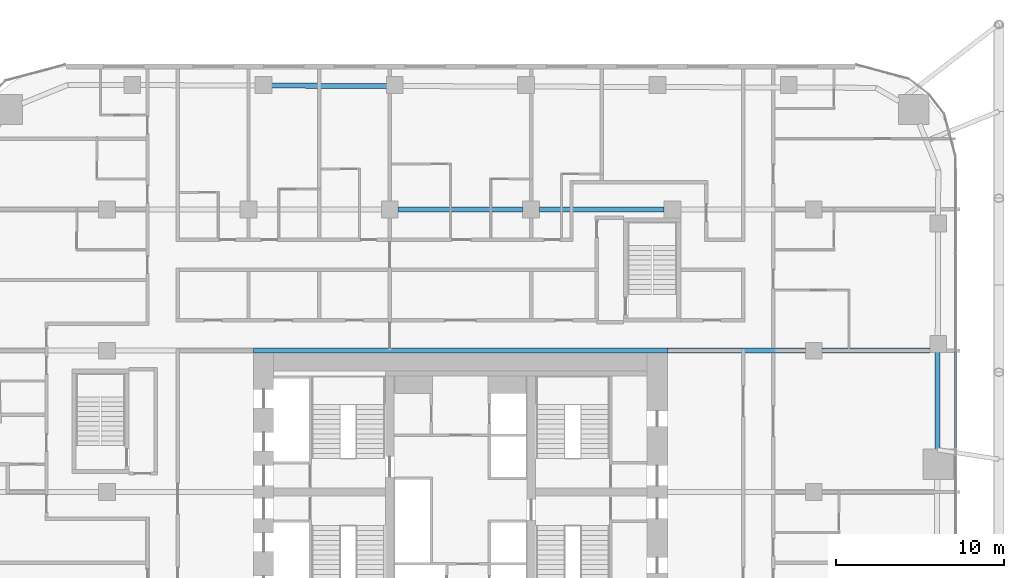
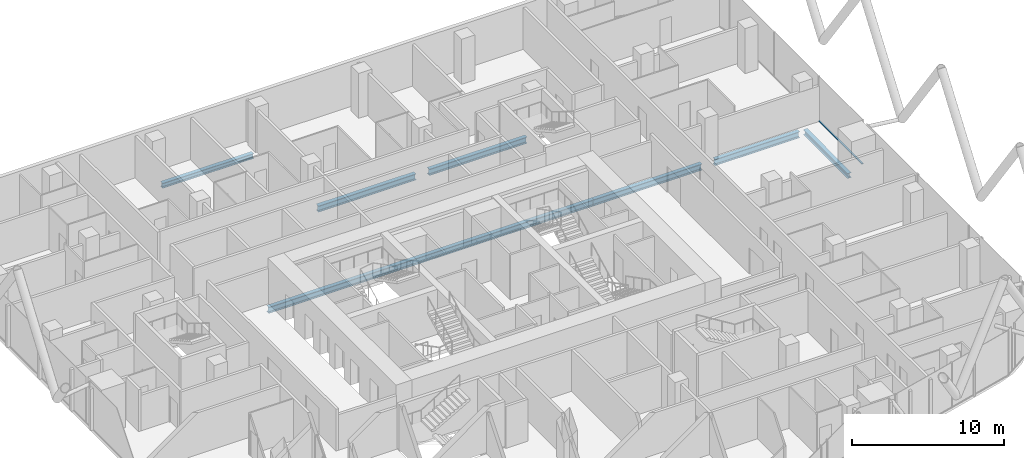
# One storey, part 11 of 38: 7 beams, 1 member, 1 element without a shape of its own.
"""IFC4 building model written with IfcOpenShell, lengths in metres."""

from ifc_helpers import new_model, si_unit, direction, frame, origin, origin_2d, place, context, subcontext, project, spatial, rectangle, i_section, extrude, material, layer, layer_set, material_profile, profile_set, type_object, element, aggregate, save


model = new_model("IFC4")

# Units and contexts
model_context = context("Model", 3, precision=1e-05, world=origin(), true_north=direction((0.0, 1.0)))
body_context = subcontext(model_context, "Body", "Model", "MODEL_VIEW")
ifc_project = project(units=[si_unit("LENGTHUNIT", "METRE"), si_unit("AREAUNIT", "SQUARE_METRE"), si_unit("VOLUMEUNIT", "CUBIC_METRE"), si_unit("PLANEANGLEUNIT", "RADIAN"), si_unit("MASSUNIT", "GRAM", prefix="KILO")], contexts=[model_context])

# Site, building, storey
site_placement = place(None, origin())
site = spatial("IfcSite", under=ifc_project, at=site_placement, CompositionType="ELEMENT")
building_placement = place(site_placement, origin())
building = spatial("IfcBuilding", under=site, at=building_placement, Name="Marenta Gate Hotel Tower", CompositionType="ELEMENT")
storey_placement = place(building_placement, frame((0.0, 0.0, 54.5)))
storey = spatial("IfcBuildingStorey", under=building, at=storey_placement, Name="L11", CompositionType="ELEMENT", Elevation=54.5)

# Beams
ifc_material_1 = material(Name="Steel S355", Category="steel")
ifc_material_profile_1 = material_profile(ifc_material_1, i_section(OverallWidth=0.300048828125, OverallDepth=0.39990234375, WebThickness=0.013427734375, FlangeThickness=0.02392578125, FilletRadius=0.027099609375, at=origin_2d()), Name="HEB 400")
ifc_profile_set_1 = profile_set([ifc_material_profile_1], Name="Steel S355")
beam_type_1 = type_object("IfcBeamType", Name="Edge beam HEB 400", PredefinedType="SPANDREL", material=ifc_profile_set_1)
beam_1_placement = place(storey_placement, frame((-11.244140625, 32.554931640625, -0.4599609375), z_axis=(0.999993064268, -0.003724435008, 0.0), x_axis=(0.003724435008, 0.999993064268, 0.0)))
element("IfcBeam", 1, at=beam_1_placement, inside=storey, type_object=beam_type_1, Name="L11-EB-15", PredefinedType="SPANDREL", context=body_context, shape_type="SweptSolid", body=[
    extrude(i_section(OverallWidth=0.300048828125, OverallDepth=0.39990234375, WebThickness=0.013427734375, FlangeThickness=0.02392578125, FilletRadius=0.027099609375, at=origin_2d()), origin(), (0.0, 0.0, 1.0), 6.8828125),
])
beam_2_placement = place(storey_placement, frame((28.364013671875, 16.7431640625, -0.4599609375), z_axis=(-0.003306389661, -0.999994533879, 0.0), x_axis=(0.999994533879, -0.003306389661, 0.0)))
element("IfcBeam", 2, at=beam_2_placement, inside=storey, type_object=beam_type_1, Name="L11-EB-24", PredefinedType="SPANDREL", context=body_context, shape_type="SweptSolid", body=[
    extrude(i_section(OverallWidth=0.300048828125, OverallDepth=0.39990234375, WebThickness=0.013427734375, FlangeThickness=0.02392578125, FilletRadius=0.027099609375, at=origin_2d()), origin(), (0.0, 0.0, 1.0), 5.833251953125),
])
ifc_material_2 = material(Name="Steel S355", Category="steel")
ifc_material_profile_2 = material_profile(ifc_material_2, i_section(OverallWidth=0.300048828125, OverallDepth=0.5, WebThickness=0.014404296875, FlangeThickness=0.028076171875, FilletRadius=0.027099609375, at=origin_2d()), Name="HEB 500")
ifc_profile_set_2 = profile_set([ifc_material_profile_2], Name="Steel S355")
beam_type_2 = type_object("IfcBeamType", Name="Girder HEB 500", PredefinedType="BEAM", material=ifc_profile_set_2)
beam_3_placement = place(storey_placement, frame((-12.300048828125, 16.800048828125, -0.510009765625), z_axis=(1.0, 0.0, 0.0), x_axis=(0.0, 1.0, 0.0)))
element("IfcBeam", 3, at=beam_3_placement, inside=storey, type_object=beam_type_2, Name="L11-GD-19", PredefinedType="BEAM", context=body_context, shape_type="SweptSolid", body=[
    extrude(i_section(OverallWidth=0.300048828125, OverallDepth=0.5, WebThickness=0.014404296875, FlangeThickness=0.028076171875, FilletRadius=0.027099609375, at=origin_2d()), origin(), (0.0, 0.0, 1.0), 24.60009765625),
])
beam_4_placement = place(storey_placement, frame((12.300048828125, 16.800048828125, -0.510009765625), z_axis=(1.0, 0.0, 0.0), x_axis=(0.0, 1.0, 0.0)))
element("IfcBeam", 4, at=beam_4_placement, inside=storey, type_object=beam_type_2, Name="L11-GD-20", PredefinedType="BEAM", context=body_context, shape_type="SweptSolid", body=[
    extrude(i_section(OverallWidth=0.300048828125, OverallDepth=0.5, WebThickness=0.014404296875, FlangeThickness=0.028076171875, FilletRadius=0.027099609375, at=origin_2d()), origin(), (0.0, 0.0, 1.0), 8.199951171875),
])
beam_5_placement = place(storey_placement, frame((21.5, 16.800048828125, -0.510009765625), z_axis=(1.0, 0.0, 0.0), x_axis=(0.0, 1.0, 0.0)))
element("IfcBeam", 5, at=beam_5_placement, inside=storey, type_object=beam_type_2, Name="L11-GD-21", PredefinedType="BEAM", context=body_context, shape_type="SweptSolid", body=[
    extrude(i_section(OverallWidth=0.300048828125, OverallDepth=0.5, WebThickness=0.014404296875, FlangeThickness=0.028076171875, FilletRadius=0.027099609375, at=origin_2d()), origin(), (0.0, 0.0, 1.0), 6.39990234375),
])
beam_6_placement = place(storey_placement, frame((-3.699951171875, 25.199951171875, -0.510009765625), z_axis=(1.0, 0.0, 0.0), x_axis=(0.0, 1.0, 0.0)))
element("IfcBeam", 6, at=beam_6_placement, inside=storey, type_object=beam_type_2, Name="L11-GD-25", PredefinedType="BEAM", context=body_context, shape_type="SweptSolid", body=[
    extrude(i_section(OverallWidth=0.300048828125, OverallDepth=0.5, WebThickness=0.014404296875, FlangeThickness=0.028076171875, FilletRadius=0.027099609375, at=origin_2d()), origin(), (0.0, 0.0, 1.0), 7.39990234375),
])
beam_7_placement = place(storey_placement, frame((4.699951171875, 25.199951171875, -0.510009765625), z_axis=(1.0, 0.0, 0.0), x_axis=(0.0, 1.0, 0.0)))
element("IfcBeam", 7, at=beam_7_placement, inside=storey, type_object=beam_type_2, Name="L11-GD-26", PredefinedType="BEAM", context=body_context, shape_type="SweptSolid", body=[
    extrude(i_section(OverallWidth=0.300048828125, OverallDepth=0.5, WebThickness=0.014404296875, FlangeThickness=0.028076171875, FilletRadius=0.027099609375, at=origin_2d()), origin(), (0.0, 0.0, 1.0), 7.400146484375),
])

# Curtain wall, member
ifc_material_3 = material(Name="Tinted insulated glass in bronze anodised frame", Category="glass")
ifc_layer = layer(ifc_material_3, 0.1201171875)
ifc_layer_set = layer_set([ifc_layer], Name="Tinted insulated glass in bronze anodised frame")
curtain_wall_type = type_object("IfcCurtainWallType", Name="Tower unitised curtain wall CW1", PredefinedType="NOTDEFINED", material=ifc_layer_set)
curtain_wall_placement = place(storey_placement, origin())
curtain_wall = element("IfcCurtainWall", 8, at=curtain_wall_placement, inside=storey, type_object=curtain_wall_type, Name="CW1 run G34", PredefinedType="NOTDEFINED")
ifc_material_4 = material(Name="Bronze anodised aluminium", Category="aluminium")
ifc_material_profile_3 = material_profile(ifc_material_4, rectangle(XDim=0.1201171875, YDim=0.06005859375, at=origin_2d()), Name="Transom CW1 60x120 bronze anodised aluminium")
ifc_profile_set_3 = profile_set([ifc_material_profile_3], Name="Bronze anodised aluminium")
member_type = type_object("IfcMemberType", Name="Transom CW1 60x120 bronze anodised aluminium", PredefinedType="USERDEFINED", material=ifc_profile_set_3)
member_placement = place(storey_placement, frame((29.4140625, 11.035400390625, 0.030029296875), z_axis=(0.0, 1.0, 0.0), x_axis=(-1.0, 0.0, 0.0)))
member = element("IfcMember", 9, at=member_placement, type_object=member_type, Name="CW1 transom 1.1", ObjectType="TRANSOM", PredefinedType="USERDEFINED", context=body_context, shape_type="SweptSolid", body=[
    extrude(rectangle(XDim=0.1201171875, YDim=0.06005859375, at=origin_2d()), origin(), (0.0, 0.0, 1.0), 5.71533203125),
])
aggregate(curtain_wall, [member])

save(model, "model.ifc")
